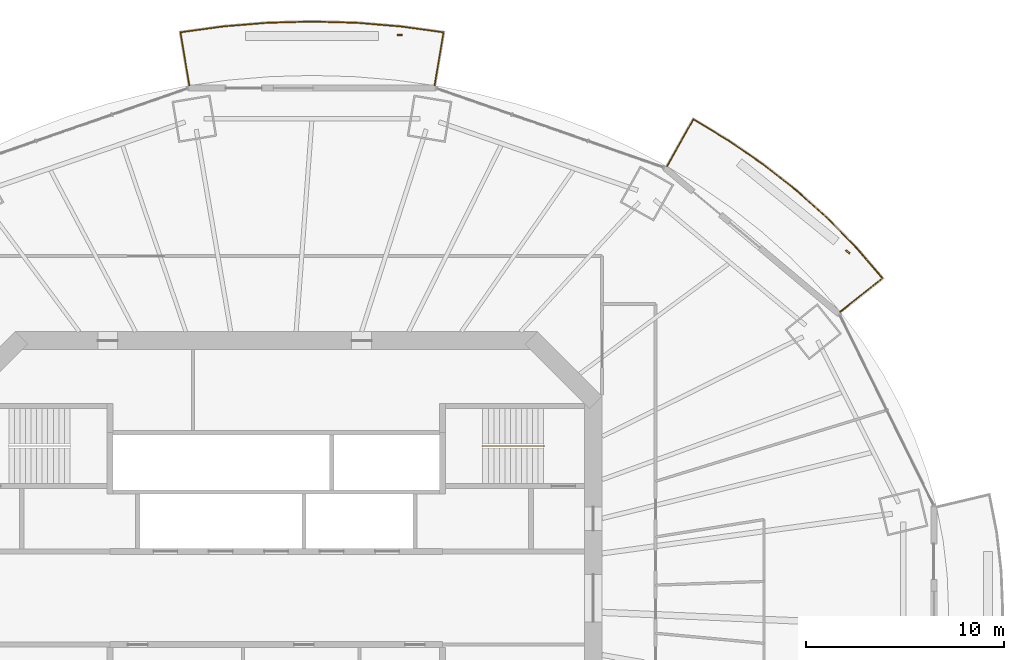
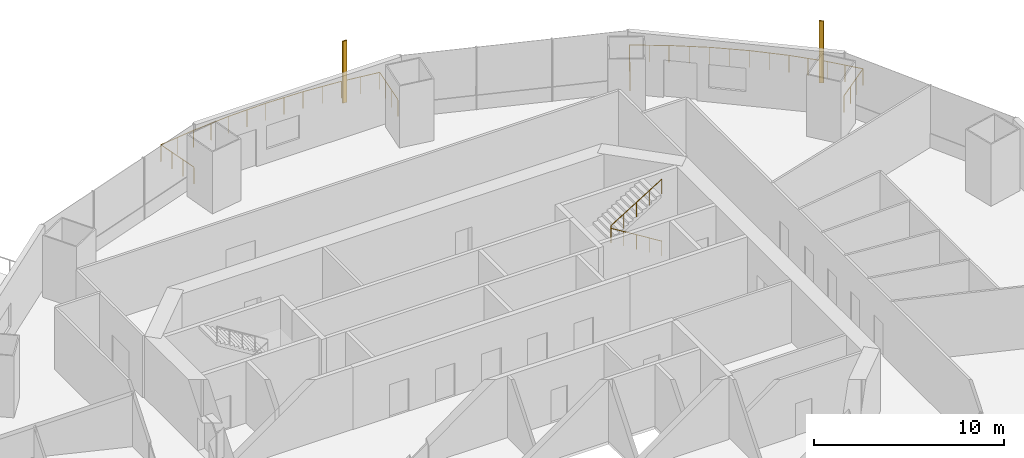
# One storey, part 18 of 20: 3 railings, 2 shading devices.
"""IFC4 building model written with IfcOpenShell, lengths in metres."""

from ifc_helpers import new_model, si_unit, direction, frame, origin, origin_2d, place, context, subcontext, project, spatial, rectangle, circle, extrude, material, material_profile, profile_set, type_object, element, save


model = new_model("IFC4")

# Units and contexts
model_context = context("Model", 3, precision=1e-05, world=origin(), true_north=direction((0.0, 1.0)))
body_context = subcontext(model_context, "Body", "Model", "MODEL_VIEW")
ifc_project = project(units=[si_unit("LENGTHUNIT", "METRE"), si_unit("AREAUNIT", "SQUARE_METRE"), si_unit("VOLUMEUNIT", "CUBIC_METRE"), si_unit("PLANEANGLEUNIT", "RADIAN"), si_unit("MASSUNIT", "GRAM", prefix="KILO")], contexts=[model_context])

# Site, building, storey
site_placement = place(None, origin())
site = spatial("IfcSite", under=ifc_project, at=site_placement, CompositionType="ELEMENT")
building_placement = place(site_placement, origin())
building = spatial("IfcBuilding", under=site, at=building_placement, Name="Marenthal Gate Tower", CompositionType="ELEMENT")
storey_placement = place(building_placement, frame((0.0, 0.0, 194.25)))
storey = spatial("IfcBuildingStorey", under=building, at=storey_placement, Name="L42", CompositionType="ELEMENT", Elevation=194.25)

# Railings
ifc_material_1 = material(Name="Stainless steel", Category="steel")
railing_type_1 = type_object("IfcRailingType", Name="Balcony guard 1100", PredefinedType="GUARDRAIL", material=ifc_material_1)
railing_1_placement = place(storey_placement, frame((19.722900390625, 21.794677734375, 0.0)))
element("IfcRailing", 1, at=railing_1_placement, inside=storey, type_object=railing_type_1, Name="Balcony guard L42 bay 2", PredefinedType="GUARDRAIL", context=body_context, shape_type="SweptSolid", body=[
    extrude(circle(Radius=0.02392578125, at=origin_2d()), frame((0.0, 0.0, 1.076171875), z_axis=(0.489547574491, 0.871852371435, -0.014717837253), x_axis=(-0.871946814813, 0.489600604715, 0.0)), (0.0, 0.0, 1.0), 2.720458984375),
    extrude(circle(Radius=0.02392578125, at=origin_2d()), frame((1.331787109375, 2.371826171875, 1.0361328125), z_axis=(0.856237767515, -0.516581925236, 0.0), x_axis=(0.516581925236, 0.856237767515, 0.0)), (0.0, 0.0, 1.0), 2.080810546875),
    extrude(circle(Radius=0.02392578125, at=origin_2d()), frame((3.113525390625, 1.296875, 1.0361328125), z_axis=(0.823420107604, -0.567432221849, 0.0), x_axis=(0.567432221849, 0.823420107604, 0.0)), (0.0, 0.0, 1.0), 2.14404296875),
    extrude(circle(Radius=0.02392578125, at=origin_2d()), frame((4.87890625, 0.080322265625, 1.0361328125), z_axis=(0.786051281146, -0.61816129239, 0.0), x_axis=(0.61816129239, 0.786051281146, 0.0)), (0.0, 0.0, 1.0), 2.1259765625),
    extrude(circle(Radius=0.02392578125, at=origin_2d()), frame((6.550048828125, -1.23388671875, 1.0361328125), z_axis=(0.744571425907, -0.667542801416, 0.0), x_axis=(0.667542801416, 0.744571425907, 0.0)), (0.0, 0.0, 1.0), 2.107666015625),
    extrude(circle(Radius=0.02392578125, at=origin_2d()), frame((8.119384765625, -2.640869140625, 1.0361328125), z_axis=(0.69888270328, -0.715236301551, 0.0), x_axis=(0.715236301551, 0.69888270328, 0.0)), (0.0, 0.0, 1.0), 2.090087890625),
    extrude(circle(Radius=0.02392578125, at=origin_2d()), frame((9.580078125, -4.1357421875, 1.0361328125), z_axis=(0.65027659014, -0.759697542655, 0.0), x_axis=(0.759697542655, 0.65027659014, 0.0)), (0.0, 0.0, 1.0), 1.992431640625),
    extrude(circle(Radius=0.02392578125, at=origin_2d()), frame((10.875732421875, -5.6494140625, 1.0361328125), z_axis=(-0.782654389214, -0.622282483065, 0.01471795893), x_axis=(0.622349892908, -0.782739171626, 0.0)), (0.0, 0.0, 1.0), 2.720458984375),
    extrude(circle(Radius=0.02099609375, at=origin_2d()), origin(), (0.0, 0.0, 1.0), 1.052001953125),
    extrude(circle(Radius=0.02099609375, at=origin_2d()), frame((0.44384765625, 0.79052734375, -0.013427734375)), (0.0, 0.0, 1.0), 1.052001953125),
    extrude(circle(Radius=0.02099609375, at=origin_2d()), frame((0.887939453125, 1.581298828125, -0.026611328125)), (0.0, 0.0, 1.0), 1.052001953125),
    extrude(circle(Radius=0.02099609375, at=origin_2d()), frame((1.331787109375, 2.371826171875, -0.0400390625)), (0.0, 0.0, 1.0), 1.052001953125),
    extrude(circle(Radius=0.02099609375, at=origin_2d()), frame((2.22265625, 1.83447265625, -0.0400390625)), (0.0, 0.0, 1.0), 1.052001953125),
    extrude(circle(Radius=0.02099609375, at=origin_2d()), frame((3.113525390625, 1.296875, -0.0400390625)), (0.0, 0.0, 1.0), 1.052001953125),
    extrude(circle(Radius=0.02099609375, at=origin_2d()), frame((3.99609375, 0.6884765625, -0.0400390625)), (0.0, 0.0, 1.0), 1.052001953125),
    extrude(circle(Radius=0.02099609375, at=origin_2d()), frame((4.87890625, 0.080322265625, -0.0400390625)), (0.0, 0.0, 1.0), 1.052001953125),
    extrude(circle(Radius=0.02099609375, at=origin_2d()), frame((5.71435546875, -0.57666015625, -0.0400390625)), (0.0, 0.0, 1.0), 1.052001953125),
    extrude(circle(Radius=0.02099609375, at=origin_2d()), frame((6.550048828125, -1.23388671875, -0.0400390625)), (0.0, 0.0, 1.0), 1.052001953125),
    extrude(circle(Radius=0.02099609375, at=origin_2d()), frame((7.334716796875, -1.9375, -0.0400390625)), (0.0, 0.0, 1.0), 1.052001953125),
    extrude(circle(Radius=0.02099609375, at=origin_2d()), frame((8.119384765625, -2.640869140625, -0.0400390625)), (0.0, 0.0, 1.0), 1.052001953125),
    extrude(circle(Radius=0.02099609375, at=origin_2d()), frame((8.849609375, -3.38818359375, -0.0400390625)), (0.0, 0.0, 1.0), 1.052001953125),
    extrude(circle(Radius=0.02099609375, at=origin_2d()), frame((9.580078125, -4.1357421875, -0.0400390625)), (0.0, 0.0, 1.0), 1.052001953125),
    extrude(circle(Radius=0.02099609375, at=origin_2d()), frame((10.22802734375, -4.892578125, -0.0400390625)), (0.0, 0.0, 1.0), 1.052001953125),
    extrude(circle(Radius=0.02099609375, at=origin_2d()), frame((10.875732421875, -5.6494140625, -0.0400390625)), (0.0, 0.0, 1.0), 1.052001953125),
    extrude(circle(Radius=0.02099609375, at=origin_2d()), frame((10.166015625, -6.213623046875, -0.026611328125)), (0.0, 0.0, 1.0), 1.052001953125),
    extrude(circle(Radius=0.02099609375, at=origin_2d()), frame((9.456298828125, -6.778076171875, -0.013427734375)), (0.0, 0.0, 1.0), 1.052001953125),
    extrude(circle(Radius=0.02099609375, at=origin_2d()), frame((8.74658203125, -7.34228515625, 0.0)), (0.0, 0.0, 1.0), 1.052001953125),
])
railing_2_placement = place(storey_placement, frame((-4.390380859375, 25.875732421875, 0.0)))
element("IfcRailing", 2, at=railing_2_placement, inside=storey, type_object=railing_type_1, Name="Balcony guard L42 bay 4", PredefinedType="GUARDRAIL", context=body_context, shape_type="SweptSolid", body=[
    extrude(circle(Radius=0.02392578125, at=origin_2d()), frame((0.0, 0.0, 1.076171875), z_axis=(-0.164774109377, 0.986221507592, -0.014718384498), x_axis=(-0.986328347949, -0.164791959854, 0.0)), (0.0, 0.0, 1.0), 2.720458984375),
    extrude(circle(Radius=0.02392578125, at=origin_2d()), frame((-0.4482421875, 2.682861328125, 1.0361328125), z_axis=(0.990664759644, 0.136320702755, 0.0), x_axis=(-0.136320702755, 0.990664759644, 0.0)), (0.0, 0.0, 1.0), 2.165283203125),
    extrude(circle(Radius=0.02392578125, at=origin_2d()), frame((1.69677734375, 2.97802734375, 1.0361328125), z_axis=(0.996603137393, 0.082354031713, 0.0), x_axis=(-0.082354031713, 0.996603137393, 0.0)), (0.0, 0.0, 1.0), 2.25),
    extrude(circle(Radius=0.02392578125, at=origin_2d()), frame((3.939208984375, 3.163330078125, 1.0361328125), z_axis=(0.999620829683, 0.027535374768, 0.0), x_axis=(-0.027535374768, 0.999620829683, 0.0)), (0.0, 0.0, 1.0), 2.251953125),
    extrude(circle(Radius=0.02392578125, at=origin_2d()), frame((6.1904296875, 3.225341796875, 1.0361328125), z_axis=(0.999620829683, -0.027535374768, 0.0), x_axis=(0.027535374768, 0.999620829683, 0.0)), (0.0, 0.0, 1.0), 2.251953125),
    extrude(circle(Radius=0.02392578125, at=origin_2d()), frame((8.441650390625, 3.163330078125, 1.0361328125), z_axis=(0.996603137393, -0.082354031713, 0.0), x_axis=(0.082354031713, 0.996603137393, 0.0)), (0.0, 0.0, 1.0), 2.25),
    extrude(circle(Radius=0.02392578125, at=origin_2d()), frame((10.68408203125, 2.97802734375, 1.0361328125), z_axis=(0.990664759644, -0.136320702755, 0.0), x_axis=(0.136320702755, 0.990664759644, 0.0)), (0.0, 0.0, 1.0), 2.165283203125),
    extrude(circle(Radius=0.02392578125, at=origin_2d()), frame((12.8291015625, 2.682861328125, 1.0361328125), z_axis=(-0.16486141703, -0.98620691984, 0.01471816679), x_axis=(0.986313755456, -0.164879276438, 0.0)), (0.0, 0.0, 1.0), 2.720458984375),
    extrude(circle(Radius=0.02099609375, at=origin_2d()), origin(), (0.0, 0.0, 1.0), 1.052001953125),
    extrude(circle(Radius=0.02099609375, at=origin_2d()), frame((-0.1494140625, 0.894287109375, -0.013427734375)), (0.0, 0.0, 1.0), 1.052001953125),
    extrude(circle(Radius=0.02099609375, at=origin_2d()), frame((-0.298828125, 1.78857421875, -0.026611328125)), (0.0, 0.0, 1.0), 1.052001953125),
    extrude(circle(Radius=0.02099609375, at=origin_2d()), frame((-0.4482421875, 2.682861328125, -0.0400390625)), (0.0, 0.0, 1.0), 1.052001953125),
    extrude(circle(Radius=0.02099609375, at=origin_2d()), frame((0.624267578125, 2.83056640625, -0.0400390625)), (0.0, 0.0, 1.0), 1.052001953125),
    extrude(circle(Radius=0.02099609375, at=origin_2d()), frame((1.69677734375, 2.97802734375, -0.0400390625)), (0.0, 0.0, 1.0), 1.052001953125),
    extrude(circle(Radius=0.02099609375, at=origin_2d()), frame((2.81787109375, 3.07080078125, -0.0400390625)), (0.0, 0.0, 1.0), 1.052001953125),
    extrude(circle(Radius=0.02099609375, at=origin_2d()), frame((3.939208984375, 3.163330078125, -0.0400390625)), (0.0, 0.0, 1.0), 1.052001953125),
    extrude(circle(Radius=0.02099609375, at=origin_2d()), frame((5.06494140625, 3.1943359375, -0.0400390625)), (0.0, 0.0, 1.0), 1.052001953125),
    extrude(circle(Radius=0.02099609375, at=origin_2d()), frame((6.1904296875, 3.225341796875, -0.0400390625)), (0.0, 0.0, 1.0), 1.052001953125),
    extrude(circle(Radius=0.02099609375, at=origin_2d()), frame((7.31591796875, 3.1943359375, -0.0400390625)), (0.0, 0.0, 1.0), 1.052001953125),
    extrude(circle(Radius=0.02099609375, at=origin_2d()), frame((8.441650390625, 3.163330078125, -0.0400390625)), (0.0, 0.0, 1.0), 1.052001953125),
    extrude(circle(Radius=0.02099609375, at=origin_2d()), frame((9.56298828125, 3.07080078125, -0.0400390625)), (0.0, 0.0, 1.0), 1.052001953125),
    extrude(circle(Radius=0.02099609375, at=origin_2d()), frame((10.68408203125, 2.97802734375, -0.0400390625)), (0.0, 0.0, 1.0), 1.052001953125),
    extrude(circle(Radius=0.02099609375, at=origin_2d()), frame((11.756591796875, 2.83056640625, -0.0400390625)), (0.0, 0.0, 1.0), 1.052001953125),
    extrude(circle(Radius=0.02099609375, at=origin_2d()), frame((12.8291015625, 2.682861328125, -0.0400390625)), (0.0, 0.0, 1.0), 1.052001953125),
    extrude(circle(Radius=0.02099609375, at=origin_2d()), frame((12.6796875, 1.78857421875, -0.026611328125)), (0.0, 0.0, 1.0), 1.052001953125),
    extrude(circle(Radius=0.02099609375, at=origin_2d()), frame((12.530029296875, 0.894287109375, -0.013427734375)), (0.0, 0.0, 1.0), 1.052001953125),
    extrude(circle(Radius=0.02099609375, at=origin_2d()), frame((12.380615234375, 0.0, 0.0)), (0.0, 0.0, 1.0), 1.052001953125),
])
ifc_material_2 = material(Name="Stainless steel", Category="steel")
railing_type_2 = type_object("IfcRailingType", Name="Stair handrail", PredefinedType="HANDRAIL", material=ifc_material_2)
railing_3_placement = place(storey_placement, frame((13.5, 7.675048828125, 0.1728515625)))
element("IfcRailing", 3, at=railing_3_placement, inside=storey, type_object=railing_type_2, Name="Handrail ST3", PredefinedType="HANDRAIL", context=body_context, shape_type="SweptSolid", body=[
    extrude(circle(Radius=0.0224609375, at=origin_2d()), frame((0.0, 0.0, 0.927490234375), z_axis=(-0.850835241893, 0.0, 0.525432575268), x_axis=(0.0, -1.0, 0.0)), (0.0, 0.0, 1.0), 3.6201171875),
    extrude(circle(Radius=0.0224609375, at=origin_2d()), frame((-3.080078125, 0.0, 2.82958984375), z_axis=(0.0, 0.0, 1.0), x_axis=(1.0, 0.0, 0.0)), (0.0, 0.0, 1.0), 0.1728515625),
    extrude(circle(Radius=0.0224609375, at=origin_2d()), frame((-3.080078125, 0.0, 3.00244140625), z_axis=(0.850835241893, 0.0, 0.525432575268), x_axis=(0.0, 1.0, 0.0)), (0.0, 0.0, 1.0), 3.6201171875),
    extrude(circle(Radius=0.02001953125, at=origin_2d()), origin(), (0.0, 0.0, 1.0), 0.905029296875),
    extrude(circle(Radius=0.02001953125, at=origin_2d()), frame((-0.77001953125, 0.0, 0.4755859375)), (0.0, 0.0, 1.0), 0.905029296875),
    extrude(circle(Radius=0.02001953125, at=origin_2d()), frame((-1.5400390625, 0.0, 0.951171875)), (0.0, 0.0, 1.0), 0.905029296875),
    extrude(circle(Radius=0.02001953125, at=origin_2d()), frame((-2.31005859375, 0.0, 1.426513671875)), (0.0, 0.0, 1.0), 0.905029296875),
    extrude(circle(Radius=0.02001953125, at=origin_2d()), frame((-3.080078125, 0.0, 1.902099609375)), (0.0, 0.0, 1.0), 0.905029296875),
    extrude(circle(Radius=0.02001953125, at=origin_2d()), frame((-3.080078125, 0.0, 2.074951171875)), (0.0, 0.0, 1.0), 0.905029296875),
    extrude(circle(Radius=0.02001953125, at=origin_2d()), frame((-2.31005859375, 0.0, 2.550537109375)), (0.0, 0.0, 1.0), 0.905029296875),
    extrude(circle(Radius=0.02001953125, at=origin_2d()), frame((-1.5400390625, 0.0, 3.02587890625)), (0.0, 0.0, 1.0), 0.905029296875),
    extrude(circle(Radius=0.02001953125, at=origin_2d()), frame((-0.77001953125, 0.0, 3.50146484375)), (0.0, 0.0, 1.0), 0.905029296875),
    extrude(circle(Radius=0.02001953125, at=origin_2d()), frame((0.0, 0.0, 3.97705078125)), (0.0, 0.0, 1.0), 0.905029296875),
])

# Shading devices
ifc_material_3 = material(Name="Terracotta", Category="masonry")
ifc_material_profile = material_profile(ifc_material_3, rectangle(XDim=0.25, YDim=0.080078125, at=origin_2d()), Name="Terracotta baguette 250x80")
ifc_profile_set = profile_set([ifc_material_profile], Name="Terracotta")
shading_device_type = type_object("IfcShadingDeviceType", Name="Terracotta BAGUETTE SCREEN 250x80", PredefinedType="USERDEFINED", material=ifc_profile_set)
for number, where, z_axis, x_axis, name in (
    (4, (28.843505859375, 17.47509765625, -0.0400390625), (0.0, 0.0, 1.0), (-0.765779593212, 0.64310311352, 0.0), "Terracotta BAGUETTE L42 bay 2L"),
    (5, (6.23046875, 28.425048828125, -0.0400390625), (0.0, 0.0, 1.0), (-1.0, 0.0, 0.0), "Terracotta BAGUETTE L42 bay 4L"),
):
    element("IfcShadingDevice", number, at=place(storey_placement, frame(where, z_axis=z_axis, x_axis=x_axis)), inside=storey, type_object=shading_device_type, Name=name, ObjectType="BAGUETTE SCREEN", PredefinedType="USERDEFINED", context=body_context, shape_type="SweptSolid", body=[
        extrude(rectangle(XDim=0.25, YDim=0.080078125, at=origin_2d()), origin(), (0.0, 0.0, 1.0), 3.969970703125),
    ])

save(model, "model.ifc")
